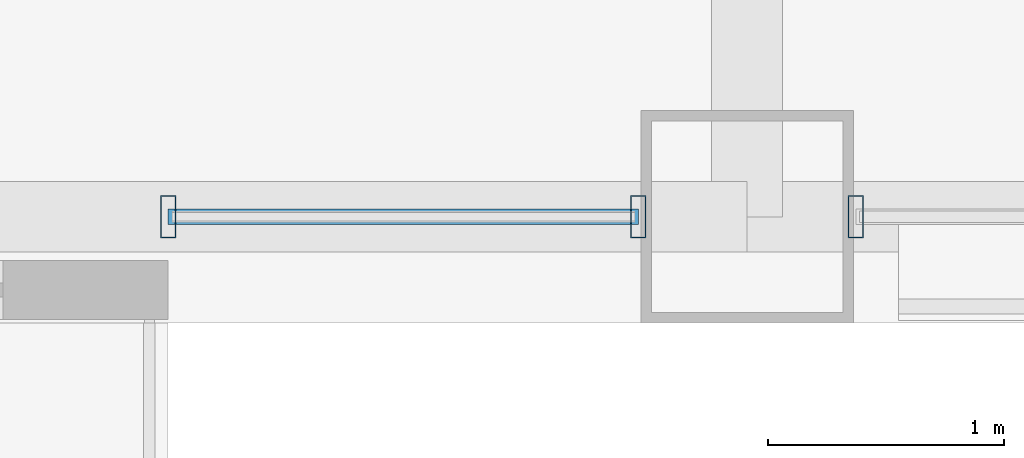
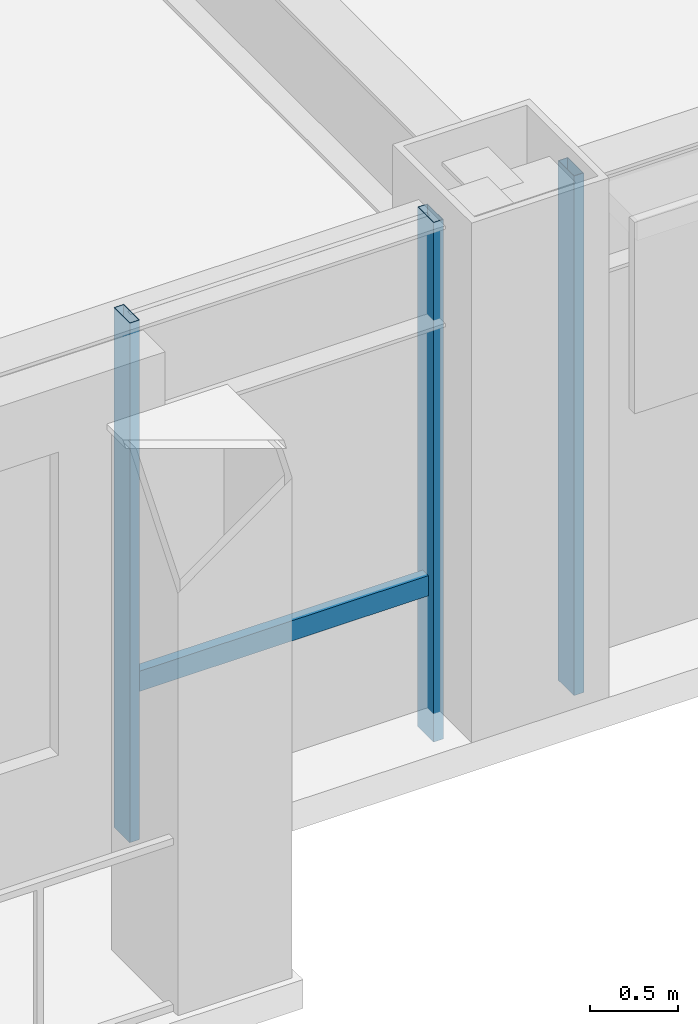
# One storey, part 4 of 28: 4 members, 2 elements without a shape of their own.
"""IFC4 building model written with IfcOpenShell, lengths in metres."""

from ifc_helpers import new_model, si_unit, direction, frame, origin, origin_2d, place, context, subcontext, project, spatial, hollow_rectangle, extrude, material, layer, layer_set, material_profile, profile_set, type_object, element, aggregate, save


model = new_model("IFC4")

# Units and contexts
model_context = context("Model", 3, precision=1e-05, world=origin(), true_north=direction((0.0, 1.0)))
body_context = subcontext(model_context, "Body", "Model", "MODEL_VIEW")
ifc_project = project(units=[si_unit("LENGTHUNIT", "METRE"), si_unit("AREAUNIT", "SQUARE_METRE"), si_unit("VOLUMEUNIT", "CUBIC_METRE"), si_unit("PLANEANGLEUNIT", "RADIAN"), si_unit("MASSUNIT", "GRAM", prefix="KILO")], contexts=[model_context])

# Site, building, storey
site_placement = place(None, origin())
site = spatial("IfcSite", under=ifc_project, at=site_placement, CompositionType="ELEMENT")
building_placement = place(site_placement, origin())
building = spatial("IfcBuilding", under=site, at=building_placement, Name="Brelmoor Portico Tower", CompositionType="ELEMENT")
storey_placement = place(building_placement, frame((0.0, 0.0, 70.800048828125)))
storey = spatial("IfcBuildingStorey", under=building, at=storey_placement, Name="L18", CompositionType="ELEMENT", Elevation=70.800048828125)

# Curtain wall, members
ifc_material = material(Name="Anodised Aluminium Alloy 6063-T6", Category="aluminium")
ifc_layer_1 = layer(ifc_material, 0.179931640625)
ifc_layer_set_1 = layer_set([ifc_layer_1], Name="Anodised Aluminium Alloy 6063-T6")
curtain_wall_type_1 = type_object("IfcCurtainWallType", Name="CW-TOWER-Z1", PredefinedType="NOTDEFINED", material=ifc_layer_set_1)
curtain_wall_1_placement = place(storey_placement, origin())
curtain_wall_1 = element("IfcCurtainWall", 1, at=curtain_wall_1_placement, inside=storey, type_object=curtain_wall_type_1, Name="L18 Curtain Wall CW-L18-1R-1", PredefinedType="NOTDEFINED")
ifc_material_profile_1 = material_profile(ifc_material, hollow_rectangle(XDim=0.06494140625, YDim=0.179931640625, WallThickness=0.00390625, at=origin_2d()), Name="ALU MULLION 65x180")
ifc_profile_set_1 = profile_set([ifc_material_profile_1], Name="Anodised Aluminium Alloy 6063-T6")
member_type_1 = type_object("IfcMemberType", Name="MB-CW-MULL-180", PredefinedType="MULLION", material=ifc_profile_set_1)
member_1_placement = place(storey_placement, frame((-10.5, -21.550048828125, -0.199951171875), z_axis=(0.0, 0.0, 1.0), x_axis=(1.0, 0.0, 0.0)))
member_1 = element("IfcMember", 2, at=member_1_placement, type_object=member_type_1, Name="CW-L18-1R-1 Mullion 00", PredefinedType="MULLION", context=body_context, shape_type="SweptSolid", body=[
    extrude(hollow_rectangle(XDim=0.06494140625, YDim=0.179931640625, WallThickness=0.00390625, at=origin_2d()), origin(), (0.0, 0.0, 1.0), 3.599853515625),
])
member_2_placement = place(storey_placement, frame((-8.510009765625, -21.550048828125, -0.199951171875), z_axis=(0.0, 0.0, 1.0), x_axis=(1.0, 0.0, 0.0)))
member_2 = element("IfcMember", 3, at=member_2_placement, type_object=member_type_1, Name="CW-L18-1R-1 Mullion 01", PredefinedType="MULLION", context=body_context, shape_type="SweptSolid", body=[
    extrude(hollow_rectangle(XDim=0.06494140625, YDim=0.179931640625, WallThickness=0.00390625, at=origin_2d()), origin(), (0.0, 0.0, 1.0), 3.599853515625),
])

# Curtain wall, member
ifc_layer_2 = layer(ifc_material, 0.179931640625)
ifc_layer_set_2 = layer_set([ifc_layer_2], Name="Anodised Aluminium Alloy 6063-T6")
curtain_wall_type_2 = type_object("IfcCurtainWallType", Name="CW-TOWER-Z1-XB", PredefinedType="NOTDEFINED", material=ifc_layer_set_2)
curtain_wall_2_placement = place(storey_placement, origin())
curtain_wall_2 = element("IfcCurtainWall", 4, at=curtain_wall_2_placement, inside=storey, type_object=curtain_wall_type_2, Name="L18 Curtain Wall CW-L18-1R-2", PredefinedType="NOTDEFINED")
member_3_placement = place(storey_placement, frame((-7.590087890625, -21.550048828125, -0.199951171875), z_axis=(0.0, 0.0, 1.0), x_axis=(1.0, 0.0, 0.0)))
member_3 = element("IfcMember", 5, at=member_3_placement, type_object=member_type_1, Name="CW-L18-1R-2 Mullion 00", PredefinedType="MULLION", context=body_context, shape_type="SweptSolid", body=[
    extrude(hollow_rectangle(XDim=0.06494140625, YDim=0.179931640625, WallThickness=0.00390625, at=origin_2d()), origin(), (0.0, 0.0, 1.0), 3.599853515625),
])
aggregate(curtain_wall_2, [member_3])

# Member
ifc_material_profile_2 = material_profile(ifc_material, hollow_rectangle(XDim=0.06494140625, YDim=0.139892578125, WallThickness=0.00390625, at=origin_2d()), Name="ALU TRANSOM 65x140")
ifc_profile_set_2 = profile_set([ifc_material_profile_2], Name="Anodised Aluminium Alloy 6063-T6")
member_type_2 = type_object("IfcMemberType", Name="MB-CW-TRAN-140", PredefinedType="USERDEFINED", material=ifc_profile_set_2)
member_4_placement = place(storey_placement, frame((-10.5, -21.550048828125, 0.849853515625), z_axis=(1.0, 0.0, 0.0), x_axis=(0.0, 1.0, 0.0)))
member_4 = element("IfcMember", 6, at=member_4_placement, type_object=member_type_2, Name="CW-L18-1R-1 Transom 1-00", ObjectType="TRANSOM", PredefinedType="USERDEFINED", context=body_context, shape_type="SweptSolid", body=[
    extrude(hollow_rectangle(XDim=0.06494140625, YDim=0.139892578125, WallThickness=0.00390625, at=origin_2d()), origin(), (0.0, 0.0, 1.0), 1.989990234375),
])

aggregate(curtain_wall_1, [member_1, member_2, member_4])

save(model, "model.ifc")
